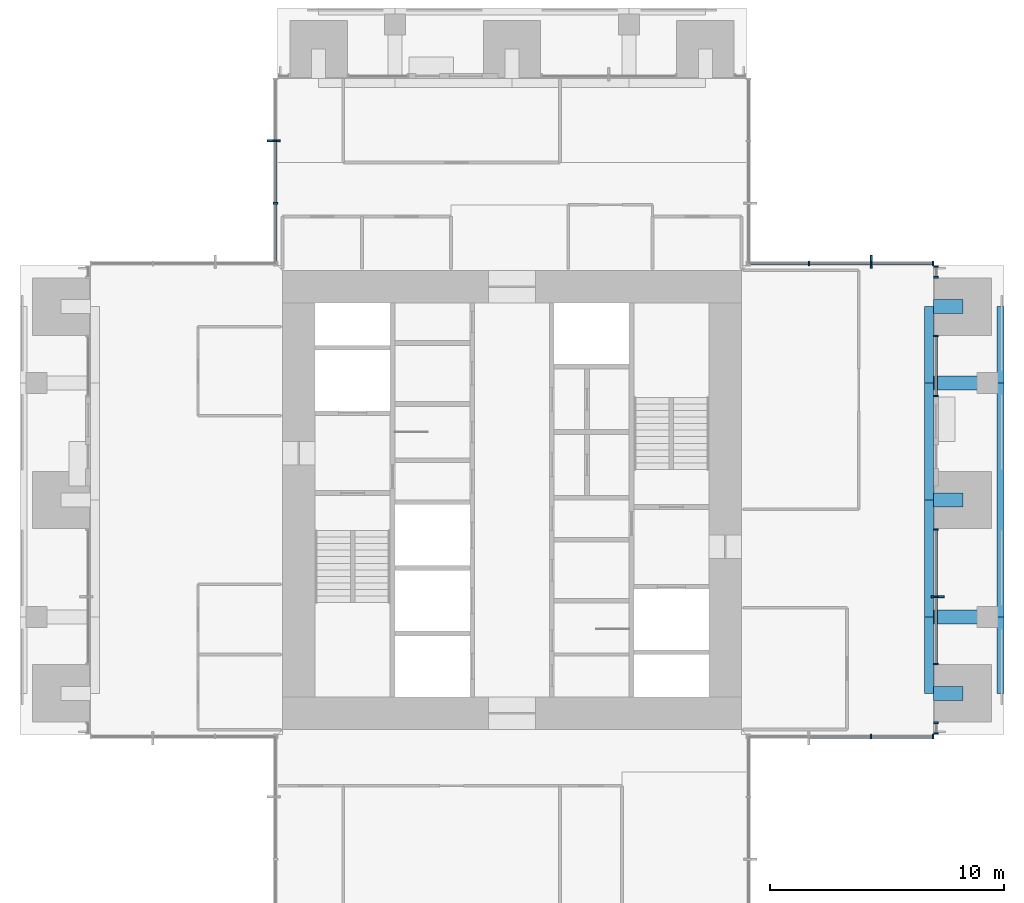
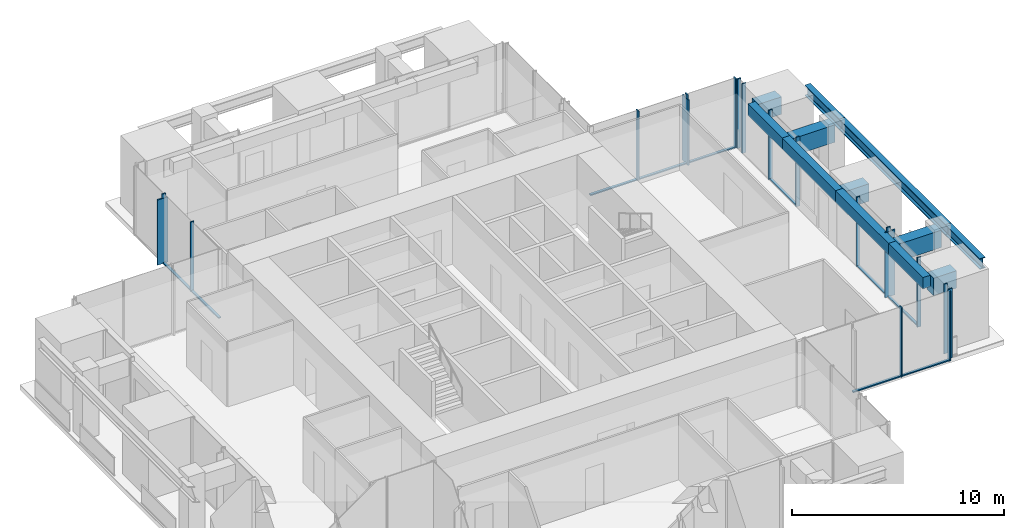
# One storey, part 4 of 17: 29 members, 12 beams, 7 elements without a shape of their own.
"""IFC4 building model written with IfcOpenShell, lengths in metres."""

from ifc_helpers import new_model, si_unit, direction, frame, origin, origin_2d, place, context, subcontext, project, spatial, rectangle, i_section, extrude, material, material_profile, profile_set, type_object, element, aggregate, save


model = new_model("IFC4")

# Units and contexts
model_context = context("Model", 3, precision=1e-05, world=origin(), true_north=direction((0.0, 1.0)))
body_context = subcontext(model_context, "Body", "Model", "MODEL_VIEW")
ifc_project = project(units=[si_unit("LENGTHUNIT", "METRE"), si_unit("AREAUNIT", "SQUARE_METRE"), si_unit("VOLUMEUNIT", "CUBIC_METRE"), si_unit("PLANEANGLEUNIT", "RADIAN"), si_unit("MASSUNIT", "GRAM", prefix="KILO")], contexts=[model_context])

# Site, building, storey
site_placement = place(None, origin())
site = spatial("IfcSite", under=ifc_project, at=site_placement, CompositionType="ELEMENT")
building_placement = place(site_placement, origin())
building = spatial("IfcBuilding", under=site, at=building_placement, Name="Svetlomir Tower", CompositionType="ELEMENT")
storey_placement = place(building_placement, frame((0.0, 0.0, 222.5)))
storey = spatial("IfcBuildingStorey", under=building, at=storey_placement, Name="L53", CompositionType="ELEMENT", Elevation=222.5)

# Curtain wall, member
ifc_material_1 = material(Name="Bronze anodised aluminium curtain wall", Category="aluminium")
curtain_wall_type = type_object("IfcCurtainWallType", Name="CURTAIN WALL CW1 TOWER OFFICE", PredefinedType="NOTDEFINED", material=ifc_material_1)
curtain_wall_1_placement = place(storey_placement, origin())
curtain_wall_1 = element("IfcCurtainWall", 1, at=curtain_wall_1_placement, inside=storey, type_object=curtain_wall_type, Name="Curtain wall CW1 L53", PredefinedType="NOTDEFINED")
ifc_material_2 = material(Name="Bronze anodised aluminium", Category="aluminium")
ifc_material_profile_1 = material_profile(ifc_material_2, rectangle(XDim=0.080078125, YDim=0.550048828125, at=origin_2d()), Name="FIN 80x550")
ifc_profile_set_1 = profile_set([ifc_material_profile_1], Name="Bronze anodised aluminium 6063-T6")
member_type_1 = type_object("IfcMemberType", Name="BRONZE FIN 80x550", PredefinedType="USERDEFINED", material=ifc_profile_set_1)
member_1_placement = place(storey_placement, frame((39.175048828125, 16.875, 0.0), z_axis=(0.0, 0.0, 1.0), x_axis=(0.0, 1.0, 0.0)))
member_1 = element("IfcMember", 2, at=member_1_placement, type_object=member_type_1, Name="Bronze fin L53", ObjectType="FIN", PredefinedType="USERDEFINED", context=body_context, shape_type="SweptSolid", body=[
    extrude(rectangle(XDim=0.080078125, YDim=0.550048828125, at=origin_2d()), origin(), (0.0, 0.0, 1.0), 3.75),
])

curtain_wall_2_placement = place(storey_placement, origin())
curtain_wall_2 = element("IfcCurtainWall", 3, at=curtain_wall_2_placement, inside=storey, type_object=curtain_wall_type, Name="Curtain wall CW1 L53", PredefinedType="NOTDEFINED")
member_2_placement = place(storey_placement, frame((36.333251953125, 31.175048828125, 0.0), z_axis=(0.0, 0.0, 1.0), x_axis=(1.0, 0.0, 0.0)))
member_2 = element("IfcMember", 4, at=member_2_placement, type_object=member_type_1, Name="Bronze fin L53", ObjectType="FIN", PredefinedType="USERDEFINED", context=body_context, shape_type="SweptSolid", body=[
    extrude(rectangle(XDim=0.080078125, YDim=0.550048828125, at=origin_2d()), origin(), (0.0, 0.0, 1.0), 3.75),
])

curtain_wall_3_placement = place(storey_placement, origin())
curtain_wall_3 = element("IfcCurtainWall", 5, at=curtain_wall_3_placement, inside=storey, type_object=curtain_wall_type, Name="Curtain wall CW1 L53", PredefinedType="NOTDEFINED")
member_3_placement = place(storey_placement, frame((10.824951171875, 36.333251953125, 0.0), z_axis=(0.0, 0.0, 1.0), x_axis=(0.0, 1.0, 0.0)))
member_3 = element("IfcMember", 6, at=member_3_placement, type_object=member_type_1, Name="Bronze fin L53", ObjectType="FIN", PredefinedType="USERDEFINED", context=body_context, shape_type="SweptSolid", body=[
    extrude(rectangle(XDim=0.080078125, YDim=0.550048828125, at=origin_2d()), origin(), (0.0, 0.0, 1.0), 3.75),
])

# Curtain wall, members
curtain_wall_4_placement = place(storey_placement, origin())
curtain_wall_4 = element("IfcCurtainWall", 7, at=curtain_wall_4_placement, inside=storey, type_object=curtain_wall_type, Name="Curtain wall CW1 L53", PredefinedType="NOTDEFINED")
ifc_material_3 = material(Name="Bronze anodised aluminium", Category="aluminium")
ifc_material_profile_2 = material_profile(ifc_material_3, rectangle(XDim=0.06494140625, YDim=0.199951171875, at=origin_2d()), Name="AL 65x200")
ifc_profile_set_2 = profile_set([ifc_material_profile_2], Name="Bronze anodised aluminium 6063-T6")
member_type_2 = type_object("IfcMemberType", Name="CW1 MULLION 65x200", PredefinedType="MULLION", material=ifc_profile_set_2)
member_4_placement = place(storey_placement, frame((36.333251953125, 10.89990234375, 0.0), z_axis=(0.0, 0.0, 1.0), x_axis=(1.0, 0.0, 0.0)))
member_4 = element("IfcMember", 8, at=member_4_placement, type_object=member_type_2, Name="CW1 mullion 3", PredefinedType="MULLION", context=body_context, shape_type="SweptSolid", body=[
    extrude(rectangle(XDim=0.06494140625, YDim=0.199951171875, at=origin_2d()), origin(), (0.0, 0.0, 1.0), 4.0),
])
member_5_placement = place(storey_placement, frame((38.967529296875, 10.89990234375, 0.0), z_axis=(0.0, 0.0, 1.0), x_axis=(1.0, 0.0, 0.0)))
member_5 = element("IfcMember", 9, at=member_5_placement, type_object=member_type_2, Name="CW1 mullion 4", PredefinedType="MULLION", context=body_context, shape_type="SweptSolid", body=[
    extrude(rectangle(XDim=0.06494140625, YDim=0.199951171875, at=origin_2d()), origin(), (0.0, 0.0, 1.0), 4.0),
])

curtain_wall_5_placement = place(storey_placement, origin())
curtain_wall_5 = element("IfcCurtainWall", 10, at=curtain_wall_5_placement, inside=storey, type_object=curtain_wall_type, Name="Curtain wall CW1 L53", PredefinedType="NOTDEFINED")
member_6_placement = place(storey_placement, frame((39.10009765625, 11.032470703125, 0.0), z_axis=(0.0, 0.0, 1.0), x_axis=(0.0, 1.0, 0.0)))
member_6 = element("IfcMember", 11, at=member_6_placement, type_object=member_type_2, Name="CW1 mullion 1", PredefinedType="MULLION", context=body_context, shape_type="SweptSolid", body=[
    extrude(rectangle(XDim=0.06494140625, YDim=0.199951171875, at=origin_2d()), origin(), (0.0, 0.0, 1.0), 4.0),
])
member_7_placement = place(storey_placement, frame((39.10009765625, 11.492431640625, 0.0), z_axis=(0.0, 0.0, 1.0), x_axis=(0.0, 1.0, 0.0)))
member_7 = element("IfcMember", 12, at=member_7_placement, type_object=member_type_2, Name="CW1 mullion 2", PredefinedType="MULLION", context=body_context, shape_type="SweptSolid", body=[
    extrude(rectangle(XDim=0.06494140625, YDim=0.199951171875, at=origin_2d()), origin(), (0.0, 0.0, 1.0), 4.0),
])
aggregate(curtain_wall_5, [member_6, member_7])

# Member
member_8_placement = place(storey_placement, frame((39.10009765625, 14.007568359375, 0.0), z_axis=(0.0, 0.0, 1.0), x_axis=(0.0, 1.0, 0.0)))
member_8 = element("IfcMember", 13, at=member_8_placement, type_object=member_type_2, Name="CW1 mullion 1", PredefinedType="MULLION", context=body_context, shape_type="SweptSolid", body=[
    extrude(rectangle(XDim=0.06494140625, YDim=0.199951171875, at=origin_2d()), origin(), (0.0, 0.0, 1.0), 4.0),
])

member_9_placement = place(storey_placement, frame((39.10009765625, 16.875, 0.0), z_axis=(0.0, 0.0, 1.0), x_axis=(0.0, 1.0, 0.0)))
member_9 = element("IfcMember", 14, at=member_9_placement, type_object=member_type_2, Name="CW1 mullion 2", PredefinedType="MULLION", context=body_context, shape_type="SweptSolid", body=[
    extrude(rectangle(XDim=0.06494140625, YDim=0.199951171875, at=origin_2d()), origin(), (0.0, 0.0, 1.0), 4.0),
])

member_10_placement = place(storey_placement, frame((39.10009765625, 19.742431640625, 0.0), z_axis=(0.0, 0.0, 1.0), x_axis=(0.0, 1.0, 0.0)))
member_10 = element("IfcMember", 15, at=member_10_placement, type_object=member_type_2, Name="CW1 mullion 3", PredefinedType="MULLION", context=body_context, shape_type="SweptSolid", body=[
    extrude(rectangle(XDim=0.06494140625, YDim=0.199951171875, at=origin_2d()), origin(), (0.0, 0.0, 1.0), 4.0),
])

# Curtain wall, members
curtain_wall_6_placement = place(storey_placement, origin())
curtain_wall_6 = element("IfcCurtainWall", 16, at=curtain_wall_6_placement, inside=storey, type_object=curtain_wall_type, Name="Curtain wall CW1 L53", PredefinedType="NOTDEFINED")
member_11_placement = place(storey_placement, frame((39.10009765625, 25.4326171875, 0.0), z_axis=(0.0, 0.0, 1.0), x_axis=(0.0, 1.0, 0.0)))
member_11 = element("IfcMember", 17, at=member_11_placement, type_object=member_type_2, Name="CW1 mullion 1", PredefinedType="MULLION", context=body_context, shape_type="SweptSolid", body=[
    extrude(rectangle(XDim=0.06494140625, YDim=0.199951171875, at=origin_2d()), origin(), (0.0, 0.0, 1.0), 4.0),
])
member_12_placement = place(storey_placement, frame((39.10009765625, 27.992431640625, 0.0), z_axis=(0.0, 0.0, 1.0), x_axis=(0.0, 1.0, 0.0)))
member_12 = element("IfcMember", 18, at=member_12_placement, type_object=member_type_2, Name="CW1 mullion 2", PredefinedType="MULLION", context=body_context, shape_type="SweptSolid", body=[
    extrude(rectangle(XDim=0.06494140625, YDim=0.199951171875, at=origin_2d()), origin(), (0.0, 0.0, 1.0), 4.0),
])

curtain_wall_7_placement = place(storey_placement, origin())
curtain_wall_7 = element("IfcCurtainWall", 19, at=curtain_wall_7_placement, inside=storey, type_object=curtain_wall_type, Name="Curtain wall CW1 L53", PredefinedType="NOTDEFINED")
member_13_placement = place(storey_placement, frame((39.10009765625, 30.507568359375, 0.0), z_axis=(0.0, 0.0, 1.0), x_axis=(0.0, 1.0, 0.0)))
member_13 = element("IfcMember", 20, at=member_13_placement, type_object=member_type_2, Name="CW1 mullion 1", PredefinedType="MULLION", context=body_context, shape_type="SweptSolid", body=[
    extrude(rectangle(XDim=0.06494140625, YDim=0.199951171875, at=origin_2d()), origin(), (0.0, 0.0, 1.0), 4.0),
])
member_14_placement = place(storey_placement, frame((39.10009765625, 30.967529296875, 0.0), z_axis=(0.0, 0.0, 1.0), x_axis=(0.0, 1.0, 0.0)))
member_14 = element("IfcMember", 21, at=member_14_placement, type_object=member_type_2, Name="CW1 mullion 2", PredefinedType="MULLION", context=body_context, shape_type="SweptSolid", body=[
    extrude(rectangle(XDim=0.06494140625, YDim=0.199951171875, at=origin_2d()), origin(), (0.0, 0.0, 1.0), 4.0),
])
aggregate(curtain_wall_7, [member_13, member_14])

# Member
member_15_placement = place(storey_placement, frame((38.967529296875, 31.10009765625, 0.0), z_axis=(0.0, 0.0, 1.0), x_axis=(-1.0, 0.0, 0.0)))
member_15 = element("IfcMember", 22, at=member_15_placement, type_object=member_type_2, Name="CW1 mullion 1", PredefinedType="MULLION", context=body_context, shape_type="SweptSolid", body=[
    extrude(rectangle(XDim=0.06494140625, YDim=0.199951171875, at=origin_2d()), origin(), (0.0, 0.0, 1.0), 4.0),
])

member_16_placement = place(storey_placement, frame((36.333251953125, 31.10009765625, 0.0), z_axis=(0.0, 0.0, 1.0), x_axis=(-1.0, 0.0, 0.0)))
member_16 = element("IfcMember", 23, at=member_16_placement, type_object=member_type_2, Name="CW1 mullion 2", PredefinedType="MULLION", context=body_context, shape_type="SweptSolid", body=[
    extrude(rectangle(XDim=0.06494140625, YDim=0.199951171875, at=origin_2d()), origin(), (0.0, 0.0, 1.0), 4.0),
])

member_17_placement = place(storey_placement, frame((33.666748046875, 31.10009765625, 0.0), z_axis=(0.0, 0.0, 1.0), x_axis=(-1.0, 0.0, 0.0)))
member_17 = element("IfcMember", 24, at=member_17_placement, type_object=member_type_2, Name="CW1 mullion 3", PredefinedType="MULLION", context=body_context, shape_type="SweptSolid", body=[
    extrude(rectangle(XDim=0.06494140625, YDim=0.199951171875, at=origin_2d()), origin(), (0.0, 0.0, 1.0), 4.0),
])

member_18_placement = place(storey_placement, frame((10.89990234375, 36.333251953125, 0.0), z_axis=(0.0, 0.0, 1.0), x_axis=(0.0, -1.0, 0.0)))
member_18 = element("IfcMember", 25, at=member_18_placement, type_object=member_type_2, Name="CW1 mullion 2", PredefinedType="MULLION", context=body_context, shape_type="SweptSolid", body=[
    extrude(rectangle(XDim=0.06494140625, YDim=0.199951171875, at=origin_2d()), origin(), (0.0, 0.0, 1.0), 4.0),
])

member_19_placement = place(storey_placement, frame((10.89990234375, 33.666748046875, 0.0), z_axis=(0.0, 0.0, 1.0), x_axis=(0.0, -1.0, 0.0)))
member_19 = element("IfcMember", 26, at=member_19_placement, type_object=member_type_2, Name="CW1 mullion 3", PredefinedType="MULLION", context=body_context, shape_type="SweptSolid", body=[
    extrude(rectangle(XDim=0.06494140625, YDim=0.199951171875, at=origin_2d()), origin(), (0.0, 0.0, 1.0), 4.0),
])

ifc_material_4 = material(Name="Bronze anodised aluminium", Category="aluminium")
ifc_material_profile_3 = material_profile(ifc_material_4, rectangle(XDim=0.139892578125, YDim=0.06494140625, at=origin_2d()), Name="AL 140x65")
ifc_profile_set_3 = profile_set([ifc_material_profile_3], Name="Bronze anodised aluminium 6063-T6")
member_type_3 = type_object("IfcMemberType", Name="CW1 TRANSOM 65x140", PredefinedType="USERDEFINED", material=ifc_profile_set_3)
member_20_placement = place(storey_placement, frame((33.69921875, 10.89990234375, 0.032470703125), z_axis=(1.0, 0.0, 0.0), x_axis=(0.0, 1.0, 0.0)))
member_20 = element("IfcMember", 27, at=member_20_placement, type_object=member_type_3, Name="CW1 transom 2.1", ObjectType="TRANSOM", PredefinedType="USERDEFINED", context=body_context, shape_type="SweptSolid", body=[
    extrude(rectangle(XDim=0.139892578125, YDim=0.06494140625, at=origin_2d()), origin(), (0.0, 0.0, 1.0), 2.6015625),
])

member_21_placement = place(storey_placement, frame((36.36572265625, 10.89990234375, 0.032470703125), z_axis=(1.0, 0.0, 0.0), x_axis=(0.0, 1.0, 0.0)))
member_21 = element("IfcMember", 28, at=member_21_placement, type_object=member_type_3, Name="CW1 transom 3.1", ObjectType="TRANSOM", PredefinedType="USERDEFINED", context=body_context, shape_type="SweptSolid", body=[
    extrude(rectangle(XDim=0.139892578125, YDim=0.06494140625, at=origin_2d()), origin(), (0.0, 0.0, 1.0), 2.5693359375),
])

aggregate(curtain_wall_4, [member_4, member_5, member_20, member_21])

member_22_placement = place(storey_placement, frame((39.10009765625, 14.0400390625, 0.032470703125), z_axis=(0.0, 1.0, 0.0), x_axis=(-1.0, 0.0, 0.0)))
member_22 = element("IfcMember", 29, at=member_22_placement, type_object=member_type_3, Name="CW1 transom 1.1", ObjectType="TRANSOM", PredefinedType="USERDEFINED", context=body_context, shape_type="SweptSolid", body=[
    extrude(rectangle(XDim=0.139892578125, YDim=0.06494140625, at=origin_2d()), origin(), (0.0, 0.0, 1.0), 2.802490234375),
])

member_23_placement = place(storey_placement, frame((39.10009765625, 16.907470703125, 0.032470703125), z_axis=(0.0, 1.0, 0.0), x_axis=(-1.0, 0.0, 0.0)))
member_23 = element("IfcMember", 30, at=member_23_placement, type_object=member_type_3, Name="CW1 transom 2.1", ObjectType="TRANSOM", PredefinedType="USERDEFINED", context=body_context, shape_type="SweptSolid", body=[
    extrude(rectangle(XDim=0.139892578125, YDim=0.06494140625, at=origin_2d()), origin(), (0.0, 0.0, 1.0), 2.802490234375),
])

aggregate(curtain_wall_1, [member_8, member_9, member_10, member_22, member_23, member_1])

member_24_placement = place(storey_placement, frame((39.10009765625, 25.465087890625, 0.032470703125), z_axis=(0.0, 1.0, 0.0), x_axis=(-1.0, 0.0, 0.0)))
member_24 = element("IfcMember", 31, at=member_24_placement, type_object=member_type_3, Name="CW1 transom 1.1", ObjectType="TRANSOM", PredefinedType="USERDEFINED", context=body_context, shape_type="SweptSolid", body=[
    extrude(rectangle(XDim=0.139892578125, YDim=0.06494140625, at=origin_2d()), origin(), (0.0, 0.0, 1.0), 2.494873046875),
])

aggregate(curtain_wall_6, [member_11, member_12, member_24])

member_25_placement = place(storey_placement, frame((38.93505859375, 31.10009765625, 0.032470703125), z_axis=(-1.0, 0.0, 0.0), x_axis=(0.0, -1.0, 0.0)))
member_25 = element("IfcMember", 32, at=member_25_placement, type_object=member_type_3, Name="CW1 transom 1.1", ObjectType="TRANSOM", PredefinedType="USERDEFINED", context=body_context, shape_type="SweptSolid", body=[
    extrude(rectangle(XDim=0.139892578125, YDim=0.06494140625, at=origin_2d()), origin(), (0.0, 0.0, 1.0), 2.5693359375),
])

member_26_placement = place(storey_placement, frame((36.30078125, 31.10009765625, 0.032470703125), z_axis=(-1.0, 0.0, 0.0), x_axis=(0.0, -1.0, 0.0)))
member_26 = element("IfcMember", 33, at=member_26_placement, type_object=member_type_3, Name="CW1 transom 2.1", ObjectType="TRANSOM", PredefinedType="USERDEFINED", context=body_context, shape_type="SweptSolid", body=[
    extrude(rectangle(XDim=0.139892578125, YDim=0.06494140625, at=origin_2d()), origin(), (0.0, 0.0, 1.0), 2.6015625),
])

member_27_placement = place(storey_placement, frame((33.63427734375, 31.10009765625, 0.032470703125), z_axis=(-1.0, 0.0, 0.0), x_axis=(0.0, -1.0, 0.0)))
member_27 = element("IfcMember", 34, at=member_27_placement, type_object=member_type_3, Name="CW1 transom 3.1", ObjectType="TRANSOM", PredefinedType="USERDEFINED", context=body_context, shape_type="SweptSolid", body=[
    extrude(rectangle(XDim=0.139892578125, YDim=0.06494140625, at=origin_2d()), origin(), (0.0, 0.0, 1.0), 2.5693359375),
])

aggregate(curtain_wall_2, [member_15, member_16, member_17, member_25, member_26, member_27, member_2])

member_28_placement = place(storey_placement, frame((10.89990234375, 36.30078125, 0.032470703125), z_axis=(0.0, -1.0, 0.0), x_axis=(1.0, 0.0, 0.0)))
member_28 = element("IfcMember", 35, at=member_28_placement, type_object=member_type_3, Name="CW1 transom 2.1", ObjectType="TRANSOM", PredefinedType="USERDEFINED", context=body_context, shape_type="SweptSolid", body=[
    extrude(rectangle(XDim=0.139892578125, YDim=0.06494140625, at=origin_2d()), origin(), (0.0, 0.0, 1.0), 2.6015625),
])

member_29_placement = place(storey_placement, frame((10.89990234375, 33.63427734375, 0.032470703125), z_axis=(0.0, -1.0, 0.0), x_axis=(1.0, 0.0, 0.0)))
member_29 = element("IfcMember", 36, at=member_29_placement, type_object=member_type_3, Name="CW1 transom 3.1", ObjectType="TRANSOM", PredefinedType="USERDEFINED", context=body_context, shape_type="SweptSolid", body=[
    extrude(rectangle(XDim=0.139892578125, YDim=0.06494140625, at=origin_2d()), origin(), (0.0, 0.0, 1.0), 2.5693359375),
])

aggregate(curtain_wall_3, [member_18, member_19, member_28, member_29, member_3])

# Beams
ifc_material_5 = material(Name="Steel S355", Category="steel")
ifc_material_profile_4 = material_profile(ifc_material_5, i_section(OverallWidth=0.304931640625, OverallDepth=0.6201171875, WebThickness=0.02099609375, FlangeThickness=0.0400390625, FilletRadius=0.027099609375, at=origin_2d()), Name="HEM 600")
ifc_profile_set_4 = profile_set([ifc_material_profile_4], Name="Steel S355")
beam_type_1 = type_object("IfcBeamType", Name="EDGE BEAM HEM 600", PredefinedType="SPANDREL", material=ifc_profile_set_4)
beam_1_placement = place(storey_placement, frame((41.847412109375, 12.75, 3.43994140625), z_axis=(0.0, 1.0, 0.0), x_axis=(-1.0, 0.0, 0.0)))
element("IfcBeam", 37, at=beam_1_placement, inside=storey, type_object=beam_type_1, Name="Edge beam 42/11 to 42/16 under L54", PredefinedType="SPANDREL", context=body_context, shape_type="SweptSolid", body=[
    extrude(i_section(OverallWidth=0.304931640625, OverallDepth=0.6201171875, WebThickness=0.02099609375, FlangeThickness=0.0400390625, FilletRadius=0.027099609375, at=origin_2d()), origin(), (0.0, 0.0, 1.0), 3.25),
])
beam_2_placement = place(storey_placement, frame((41.847412109375, 16.0, 3.43994140625), z_axis=(0.0, 1.0, 0.0), x_axis=(-1.0, 0.0, 0.0)))
element("IfcBeam", 38, at=beam_2_placement, inside=storey, type_object=beam_type_1, Name="Edge beam 42/16 to 42/26 under L54", PredefinedType="SPANDREL", context=body_context, shape_type="SweptSolid", body=[
    extrude(i_section(OverallWidth=0.304931640625, OverallDepth=0.6201171875, WebThickness=0.02099609375, FlangeThickness=0.0400390625, FilletRadius=0.027099609375, at=origin_2d()), origin(), (0.0, 0.0, 1.0), 10.0),
])
beam_3_placement = place(storey_placement, frame((41.847412109375, 26.0, 3.43994140625), z_axis=(0.0, 1.0, 0.0), x_axis=(-1.0, 0.0, 0.0)))
element("IfcBeam", 39, at=beam_3_placement, inside=storey, type_object=beam_type_1, Name="Edge beam 42/26 to 42/31 under L54", PredefinedType="SPANDREL", context=body_context, shape_type="SweptSolid", body=[
    extrude(i_section(OverallWidth=0.304931640625, OverallDepth=0.6201171875, WebThickness=0.02099609375, FlangeThickness=0.0400390625, FilletRadius=0.027099609375, at=origin_2d()), origin(), (0.0, 0.0, 1.0), 3.25),
])
ifc_material_6 = material(Name="Concrete C60/75", Category="concrete")
ifc_material_profile_5 = material_profile(ifc_material_6, rectangle(XDim=0.39990234375, YDim=0.64990234375, at=origin_2d()), Name="RC 400x650")
ifc_profile_set_5 = profile_set([ifc_material_profile_5], Name="Concrete C60/75")
beam_type_2 = type_object("IfcBeamType", Name="FACADE EDGE BEAM RC 400x650", PredefinedType="BEAM", material=ifc_profile_set_5)
beam_4_placement = place(storey_placement, frame((38.800048828125, 12.75, 3.425048828125), z_axis=(0.0, 1.0, 0.0), x_axis=(-1.0, 0.0, 0.0)))
element("IfcBeam", 40, at=beam_4_placement, inside=storey, type_object=beam_type_2, Name="Facade edge beam E 11 to 16 under L54", PredefinedType="BEAM", context=body_context, shape_type="SweptSolid", body=[
    extrude(rectangle(XDim=0.39990234375, YDim=0.64990234375, at=origin_2d()), origin(), (0.0, 0.0, 1.0), 3.25),
])
for number, where, z_axis, x_axis, name in (
    (41, (38.800048828125, 16.0, 3.425048828125), (0.0, 1.0, 0.0), (-1.0, 0.0, 0.0), "Facade edge beam E 16 to 21 under L54"),
    (42, (38.800048828125, 21.0, 3.425048828125), (0.0, 1.0, 0.0), (-1.0, 0.0, 0.0), "Facade edge beam E 21 to 26 under L54"),
):
    element("IfcBeam", number, at=place(storey_placement, frame(where, z_axis=z_axis, x_axis=x_axis)), inside=storey, type_object=beam_type_2, Name=name, PredefinedType="BEAM", context=body_context, shape_type="SweptSolid", body=[
        extrude(rectangle(XDim=0.39990234375, YDim=0.64990234375, at=origin_2d()), origin(), (0.0, 0.0, 1.0), 5.0),
    ])
beam_5_placement = place(storey_placement, frame((38.800048828125, 26.0, 3.425048828125), z_axis=(0.0, 1.0, 0.0), x_axis=(-1.0, 0.0, 0.0)))
element("IfcBeam", 43, at=beam_5_placement, inside=storey, type_object=beam_type_2, Name="Facade edge beam E 26 to 31 under L54", PredefinedType="BEAM", context=body_context, shape_type="SweptSolid", body=[
    extrude(rectangle(XDim=0.39990234375, YDim=0.64990234375, at=origin_2d()), origin(), (0.0, 0.0, 1.0), 3.25),
])
ifc_material_7 = material(Name="Concrete C60/75", Category="concrete")
ifc_material_profile_6 = material_profile(ifc_material_7, rectangle(XDim=0.60009765625, YDim=1.0, at=origin_2d()), Name="RC 600x1000")
ifc_profile_set_6 = profile_set([ifc_material_profile_6], Name="Concrete C60/75")
beam_type_3 = type_object("IfcBeamType", Name="LOGGIA LINK BEAM RC 600x1000", PredefinedType="BEAM", material=ifc_profile_set_6)
beam_6_placement = place(storey_placement, frame((40.25, 12.75, 3.25), z_axis=(-1.0, 0.0, 0.0), x_axis=(0.0, -1.0, 0.0)))
element("IfcBeam", 44, at=beam_6_placement, inside=storey, type_object=beam_type_3, Name="Loggia link beam E 11 under L54", PredefinedType="BEAM", context=body_context, shape_type="SweptSolid", body=[
    extrude(rectangle(XDim=0.60009765625, YDim=1.0, at=origin_2d()), origin(), (0.0, 0.0, 1.0), 1.25),
])
beam_7_placement = place(storey_placement, frame((41.300048828125, 16.0, 3.25), z_axis=(-1.0, 0.0, 0.0), x_axis=(0.0, -1.0, 0.0)))
element("IfcBeam", 45, at=beam_7_placement, inside=storey, type_object=beam_type_3, Name="Loggia link beam E 16 under L54", PredefinedType="BEAM", context=body_context, shape_type="SweptSolid", body=[
    extrude(rectangle(XDim=0.60009765625, YDim=1.0, at=origin_2d()), origin(), (0.0, 0.0, 1.0), 2.300048828125),
])
beam_8_placement = place(storey_placement, frame((40.25, 21.0, 3.25), z_axis=(-1.0, 0.0, 0.0), x_axis=(0.0, -1.0, 0.0)))
element("IfcBeam", 46, at=beam_8_placement, inside=storey, type_object=beam_type_3, Name="Loggia link beam E 21 under L54", PredefinedType="BEAM", context=body_context, shape_type="SweptSolid", body=[
    extrude(rectangle(XDim=0.60009765625, YDim=1.0, at=origin_2d()), origin(), (0.0, 0.0, 1.0), 1.25),
])
beam_9_placement = place(storey_placement, frame((41.300048828125, 26.0, 3.25), z_axis=(-1.0, 0.0, 0.0), x_axis=(0.0, -1.0, 0.0)))
element("IfcBeam", 47, at=beam_9_placement, inside=storey, type_object=beam_type_3, Name="Loggia link beam E 26 under L54", PredefinedType="BEAM", context=body_context, shape_type="SweptSolid", body=[
    extrude(rectangle(XDim=0.60009765625, YDim=1.0, at=origin_2d()), origin(), (0.0, 0.0, 1.0), 2.300048828125),
])
beam_10_placement = place(storey_placement, frame((40.25, 29.25, 3.25), z_axis=(-1.0, 0.0, 0.0), x_axis=(0.0, -1.0, 0.0)))
element("IfcBeam", 48, at=beam_10_placement, inside=storey, type_object=beam_type_3, Name="Loggia link beam E 31 under L54", PredefinedType="BEAM", context=body_context, shape_type="SweptSolid", body=[
    extrude(rectangle(XDim=0.60009765625, YDim=1.0, at=origin_2d()), origin(), (0.0, 0.0, 1.0), 1.25),
])

save(model, "model.ifc")
